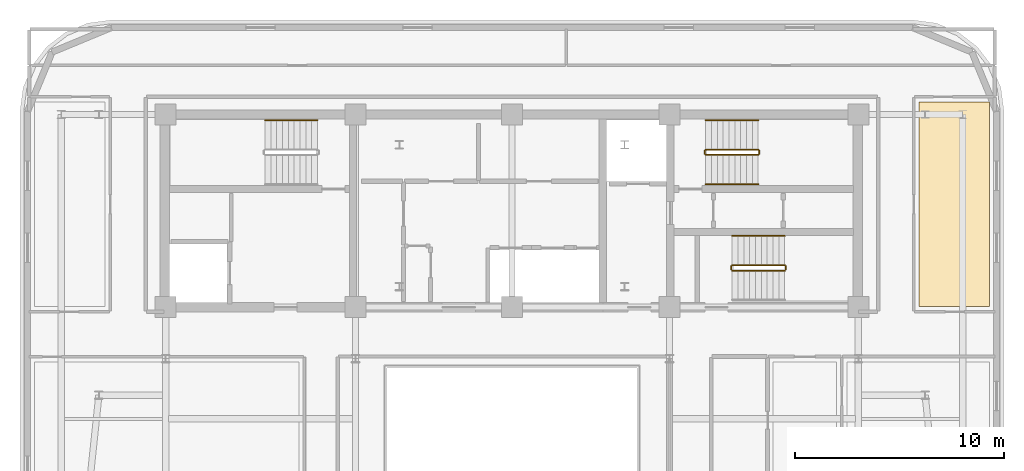
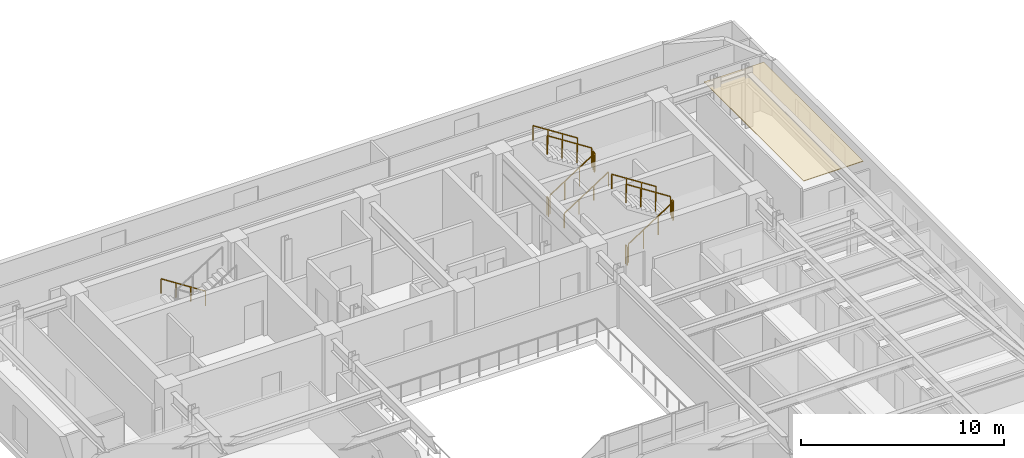
# One storey, part 13 of 13: 12 railings, 1 covering.
"""IFC4 building model written with IfcOpenShell, lengths in metres."""

import ifcopenshell
import ifcopenshell.guid

model = None  # the IFC model being written
_history = None  # IfcOwnerHistory: only IFC2X3 demands one
_inside = {}  # id of a spatial element -> (the spatial element, [elements in it])
_under = {}  # id of a project, library or spatial element -> (it, [spatial elements below it])
_declared = {}  # id of a project -> (the project, [libraries it declares])
_typed = {}  # id of a type object -> (the type object, [elements of that type])
_made_of = {}  # id of a material, layer set ... -> (it, [elements and type objects made of it])


def new_model(schema):
    """Start an empty IFC model of exactly this schema.

    Asked for "IFC4X3", IfcOpenShell would pick the latest addendum, in which some entities
    have other attributes; the version numbers below select the first issue.
    IFC2X3 requires an IfcOwnerHistory on every rooted entity: one is made here for all.
    """
    global model, _history
    if schema == "IFC4X3":
        model = ifcopenshell.file(schema_version=(4, 3, 0, 0))
    else:
        model = ifcopenshell.file(schema=schema)
    _inside.clear()
    _under.clear()
    _declared.clear()
    _typed.clear()
    _made_of.clear()
    _history = None
    if model.schema == "IFC2X3":
        org = make("IfcOrganization", Name="unknown")
        user = make(
            "IfcPersonAndOrganization",
            ThePerson=make("IfcPerson", FamilyName="unknown"),
            TheOrganization=org,
        )
        app = make(
            "IfcApplication",
            ApplicationDeveloper=org,
            Version="unknown",
            ApplicationFullName="unknown",
            ApplicationIdentifier="unknown",
        )
        _history = make(
            "IfcOwnerHistory",
            OwningUser=user,
            OwningApplication=app,
            ChangeAction="ADDED",
            CreationDate=0,
        )
    return model


def make(cls, **values):
    """One entity of the class cls with the attributes given. An attribute that is None is left unset."""
    return model.create_entity(
        cls, **{name: value for name, value in values.items() if value is not None}
    )


def rooted(cls, **values):
    """An entity with a GlobalId (a new one), such as an element, a storey or a relation."""
    return make(cls, GlobalId=ifcopenshell.guid.new(), OwnerHistory=_history, **values)


def si_unit(unit_type, name, prefix=None):
    """IfcSIUnit, for example si_unit("LENGTHUNIT", "METRE", prefix="MILLI")."""
    return make("IfcSIUnit", UnitType=unit_type, Prefix=prefix, Name=name)


def assignment(units):
    """IfcUnitAssignment: the units of a project."""
    return None if units is None else make("IfcUnitAssignment", Units=units)


def point(xyz):
    """IfcCartesianPoint."""
    return None if xyz is None else make("IfcCartesianPoint", Coordinates=xyz)


def direction(xyz):
    """IfcDirection."""
    return None if xyz is None else make("IfcDirection", DirectionRatios=xyz)


def frame(location, z_axis=None, x_axis=None):
    """IfcAxis2Placement3D, a coordinate frame: its origin and axes. An axis left out is left unset."""
    return make(
        "IfcAxis2Placement3D",
        Location=point(location),
        Axis=direction(z_axis),
        RefDirection=direction(x_axis),
    )


def frame_2d(location, x_axis=None):
    """IfcAxis2Placement2D, a coordinate frame in the plane: its origin and x axis."""
    return make(
        "IfcAxis2Placement2D", Location=point(location), RefDirection=direction(x_axis)
    )


def origin():
    """The frame at (0, 0, 0) with its axes left unset."""
    return frame((0.0, 0.0, 0.0))


def origin_2d():
    """The frame at (0, 0) in the plane with its x axis left unset."""
    return frame_2d((0.0, 0.0))


def place(relative_to, where):
    """IfcLocalPlacement: puts the frame where relative to a parent placement (None: the world)."""
    return make(
        "IfcLocalPlacement", PlacementRelTo=relative_to, RelativePlacement=where
    )


def context(
    kind, dimensions, precision=None, world=None, true_north=None, identifier=None
):
    """IfcGeometricRepresentationContext, for example the 3D "Model" context."""
    return make(
        "IfcGeometricRepresentationContext",
        ContextIdentifier=identifier,
        ContextType=kind,
        CoordinateSpaceDimension=dimensions,
        Precision=precision,
        WorldCoordinateSystem=world,
        TrueNorth=true_north,
    )


def subcontext(parent, identifier, kind, view, scale=None):
    """IfcGeometricRepresentationSubContext, for example "Body" below "Model"."""
    return make(
        "IfcGeometricRepresentationSubContext",
        ContextIdentifier=identifier,
        ContextType=kind,
        ParentContext=parent,
        TargetScale=scale,
        TargetView=view,
    )


def project(units=None, contexts=None):
    """IfcProject with its units and contexts."""
    return rooted(
        "IfcProject",
        Name="project",
        RepresentationContexts=contexts,
        UnitsInContext=assignment(units),
    )


def spatial(cls, under=None, at=None, **own):
    """A site, building, storey or space (cls), placed at a placement, below another one or the project."""
    s = rooted(cls, ObjectPlacement=at, **own)
    if under is not None:
        _under.setdefault(under.id(), (under, []))[1].append(s)
    return s


def polyline(points):
    """IfcPolyline through the points."""
    return make("IfcPolyline", Points=[point(p) for p in points])


def profile(cls, at=None, kind="AREA", **sizes):
    """A parametric profile (cls). Its sizes go by their IFC names, for example OverallWidth=200.0."""
    return make(cls, ProfileType=kind, Position=at, **sizes)


def rectangle(**sizes):
    """IfcRectangleProfileDef."""
    return profile("IfcRectangleProfileDef", **sizes)


def outline(outer, holes=None, kind="AREA"):
    """IfcArbitraryClosedProfileDef: a profile drawn as a closed curve; with holes, ...WithVoids."""
    if holes is None:
        return make("IfcArbitraryClosedProfileDef", ProfileType=kind, OuterCurve=outer)
    return make(
        "IfcArbitraryProfileDefWithVoids",
        ProfileType=kind,
        OuterCurve=outer,
        InnerCurves=holes,
    )


def extrude(swept, where, along, depth):
    """IfcExtrudedAreaSolid: the profile swept, set in the frame where, extruded along a direction by depth."""
    return make(
        "IfcExtrudedAreaSolid",
        SweptArea=swept,
        Position=where,
        ExtrudedDirection=direction(along),
        Depth=depth,
    )


def shape(context_of_items, identifier, shape_type, items):
    """IfcShapeRepresentation: the items that make up one representation, for example the "Body"."""
    return make(
        "IfcShapeRepresentation",
        ContextOfItems=context_of_items,
        RepresentationIdentifier=identifier,
        RepresentationType=shape_type,
        Items=items,
    )


def material(Name=None, Category=None):
    """IfcMaterial."""
    return make("IfcMaterial", Name=Name, Category=Category)


def layer(
    of_material, thickness, ventilated=None, Name=None, Category=None, Priority=None
):
    """IfcMaterialLayer: one layer of a wall or slab, of a material (None: an air gap)."""
    return make(
        "IfcMaterialLayer",
        Material=of_material,
        LayerThickness=thickness,
        IsVentilated=ventilated,
        Name=Name,
        Category=Category,
        Priority=Priority,
    )


def layer_set(layers, Name=None):
    """IfcMaterialLayerSet."""
    return make("IfcMaterialLayerSet", MaterialLayers=layers, LayerSetName=Name)


def made_of(thing, what):
    """Note that an element or type object is made of a material, layer set ...; save() writes the relation."""
    if what is not None:
        _made_of.setdefault(what.id(), (what, []))[1].append(thing)
    return thing


def type_object(cls, material=None, **own):
    """A type object (cls), such as IfcWallType, which elements share."""
    return made_of(rooted(cls, **own), material)


def element(
    cls,
    number,
    at=None,
    inside=None,
    cuts=None,
    type_object=None,
    material=None,
    context=None,
    identifier="Body",
    shape_type=None,
    held_by="IfcProductDefinitionShape",
    body=None,
    shapes=None,
    **own,
):
    """One element of the class cls, such as IfcWall. Its Tag is "e" and its number.

    at: its placement. inside: the storey or other place that contains it. cuts: it is an
    opening in that element (IfcRelVoidsElement). A single representation is given by context,
    identifier, shape_type and body (its items); several are given by shapes. held_by: the class
    of the entity that holds the representations. save() writes the other relations.
    """
    e = rooted(cls, Tag="e%d" % number, ObjectPlacement=at, **own)
    if body is not None:
        shapes = [shape(context, identifier, shape_type, body)]
    if shapes is not None:
        e.Representation = make(held_by, Representations=shapes)
    if inside is not None:
        _inside.setdefault(inside.id(), (inside, []))[1].append(e)
    if cuts is not None:
        rooted(
            "IfcRelVoidsElement", RelatingBuildingElement=cuts, RelatedOpeningElement=e
        )
    if type_object is not None:
        _typed.setdefault(type_object.id(), (type_object, []))[1].append(e)
    return made_of(e, material)


def aggregate(whole, parts):
    """IfcRelAggregates: a whole, such as a stair, and the parts it consists of."""
    return rooted("IfcRelAggregates", RelatingObject=whole, RelatedObjects=parts)


def save(model, path):
    """Write the relations noted so far, then the file.

    IfcRelAggregates (storeys below a building ...), IfcRelContainedInSpatialStructure (elements
    in a storey), IfcRelDefinesByType, IfcRelAssociatesMaterial and IfcRelDeclares: one each for
    every whole, place, type object, material and project.
    """
    for whole, parts in _under.values():
        aggregate(whole, parts)
    for where, things in _inside.values():
        rooted(
            "IfcRelContainedInSpatialStructure",
            RelatedElements=things,
            RelatingStructure=where,
        )
    for kind, things in _typed.values():
        rooted("IfcRelDefinesByType", RelatedObjects=things, RelatingType=kind)
    for what, things in _made_of.values():
        rooted("IfcRelAssociatesMaterial", RelatedObjects=things, RelatingMaterial=what)
    for by, libraries in _declared.values():
        rooted("IfcRelDeclares", RelatingContext=by, RelatedDefinitions=libraries)
    model.write(path)


model = new_model("IFC4")

# Units and contexts
model_context = context("Model", 3, precision=1e-05, world=origin(), true_north=direction((0.0, 1.0)))
body_context = subcontext(model_context, "Body", "Model", "MODEL_VIEW")
ifc_project = project(units=[si_unit("LENGTHUNIT", "METRE"), si_unit("AREAUNIT", "SQUARE_METRE"), si_unit("VOLUMEUNIT", "CUBIC_METRE"), si_unit("PLANEANGLEUNIT", "RADIAN"), si_unit("MASSUNIT", "GRAM", prefix="KILO")], contexts=[model_context])

# Site, building, storey
site_placement = place(None, origin())
site = spatial("IfcSite", under=ifc_project, at=site_placement, CompositionType="ELEMENT")
building_placement = place(site_placement, origin())
building = spatial("IfcBuilding", under=site, at=building_placement, Name="Zarnavel Station Tower", CompositionType="ELEMENT")
storey_placement = place(building_placement, frame((0.0, 0.0, 240.0)))
storey = spatial("IfcBuildingStorey", under=building, at=storey_placement, Name="L65", CompositionType="ELEMENT", Elevation=240.0)

# Covering
ifc_material_1 = material(Name="Perforated Gypsum and Mineral-Wool Acoustic Ceiling", Category="concrete")
ifc_layer = layer(ifc_material_1, 0.0400390625)
ifc_layer_set = layer_set([ifc_layer], Name="COV_CEIL_ACOUSTIC")
covering_type = type_object("IfcCoveringType", Name="COV_CEIL_ACOUSTIC", PredefinedType="CEILING", material=ifc_layer_set)
covering_placement = place(storey_placement, frame((0.0, 0.0, 2.9599609375)))
element("IfcCovering", 1, at=covering_placement, inside=storey, type_object=covering_type, Name="L65 FNE Acoustic Ceiling", PredefinedType="CEILING", context=body_context, shape_type="SweptSolid", body=[
    extrude(outline(polyline([(48.300048828125, 27.85009765625), (51.68994140625, 27.85009765625), (51.68994140625, 37.64990234375), (48.300048828125, 37.64990234375), (48.300048828125, 27.85009765625)])), origin(), (0.0, 0.0, 1.0), 0.0400390625),
])

# Railings
ifc_material_2 = material(Name="Painted Steel S355J2 Balustrade", Category="steel")
railing_type_1 = type_object("IfcRailingType", Name="GR_INT_1150", PredefinedType="GUARDRAIL", material=ifc_material_2)
railing_1_placement = place(storey_placement, frame((38.080078125, 35.110107421875, 0.179931640625)))
element("IfcRailing", 2, at=railing_1_placement, inside=storey, type_object=railing_type_1, Name="L65 ST2 stair guard 1", PredefinedType="GUARDRAIL", context=body_context, shape_type="SweptSolid", body=[
    extrude(rectangle(XDim=0.048095703125, YDim=0.048095703125, at=origin_2d()), frame((0.001708984375, 0.0, 1.126953125), z_axis=(0.841162588446, 0.0, 0.540782303519), x_axis=(0.0, 1.0, 0.0)), (0.0, 0.0, 1.0), 2.991943359375),
    extrude(rectangle(XDim=0.0419921875, YDim=0.0419921875, at=origin_2d()), origin(), (0.0, 0.0, 1.0), 1.101806640625),
    extrude(rectangle(XDim=0.0419921875, YDim=0.0419921875, at=origin_2d()), frame((0.840087890625, 0.0, 0.5400390625)), (0.0, 0.0, 1.0), 1.101806640625),
    extrude(rectangle(XDim=0.0419921875, YDim=0.0419921875, at=origin_2d()), frame((1.679931640625, 0.0, 1.080078125)), (0.0, 0.0, 1.0), 1.101806640625),
    extrude(rectangle(XDim=0.0419921875, YDim=0.0419921875, at=origin_2d()), frame((2.52001953125, 0.0, 1.6201171875)), (0.0, 0.0, 1.0), 1.101806640625),
])
railing_2_placement = place(storey_placement, frame((40.64990234375, 35.159912109375, 1.800048828125)))
element("IfcRailing", 3, at=railing_2_placement, inside=storey, type_object=railing_type_1, Name="L65 ST2 stair guard 2", PredefinedType="GUARDRAIL", context=body_context, shape_type="SweptSolid", body=[
    extrude(rectangle(XDim=0.048095703125, YDim=0.048095703125, at=origin_2d()), frame((0.0, 0.001953125, 1.1259765625), z_axis=(0.0, 1.0, 0.0), x_axis=(-1.0, 0.0, 0.0)), (0.0, 0.0, 1.0), 0.15625),
    extrude(rectangle(XDim=0.0419921875, YDim=0.0419921875, at=origin_2d()), origin(), (0.0, 0.0, 1.0), 1.101806640625),
    extrude(rectangle(XDim=0.0419921875, YDim=0.0419921875, at=origin_2d()), frame((0.0, 0.16015625, 0.0)), (0.0, 0.0, 1.0), 1.101806640625),
])
railing_3_placement = place(storey_placement, frame((40.60009765625, 35.3701171875, 1.97998046875)))
element("IfcRailing", 4, at=railing_3_placement, inside=storey, type_object=railing_type_1, Name="L65 ST2 stair guard 3", PredefinedType="GUARDRAIL", context=body_context, shape_type="SweptSolid", body=[
    extrude(rectangle(XDim=0.048095703125, YDim=0.048095703125, at=origin_2d()), frame((-0.001708984375, 0.0, 1.126953125), z_axis=(-0.841162588446, 0.0, 0.540782303519), x_axis=(0.0, -1.0, 0.0)), (0.0, 0.0, 1.0), 2.991943359375),
    extrude(rectangle(XDim=0.0419921875, YDim=0.0419921875, at=origin_2d()), origin(), (0.0, 0.0, 1.0), 1.101806640625),
    extrude(rectangle(XDim=0.0419921875, YDim=0.0419921875, at=origin_2d()), frame((-0.840087890625, 0.0, 0.5400390625)), (0.0, 0.0, 1.0), 1.101806640625),
    extrude(rectangle(XDim=0.0419921875, YDim=0.0419921875, at=origin_2d()), frame((-1.679931640625, 0.0, 1.080078125)), (0.0, 0.0, 1.0), 1.101806640625),
    extrude(rectangle(XDim=0.0419921875, YDim=0.0419921875, at=origin_2d()), frame((-2.52001953125, 0.0, 1.6201171875)), (0.0, 0.0, 1.0), 1.101806640625),
])
railing_4_placement = place(storey_placement, frame((38.030029296875, 35.159912109375, 0.0)))
element("IfcRailing", 5, at=railing_4_placement, inside=storey, type_object=railing_type_1, Name="L65 ST2 stair guard 4", PredefinedType="GUARDRAIL", context=body_context, shape_type="SweptSolid", body=[
    extrude(rectangle(XDim=0.048095703125, YDim=0.048095703125, at=origin_2d()), frame((0.0, 0.001953125, 1.1259765625), z_axis=(0.0, 1.0, 0.0), x_axis=(-1.0, 0.0, 0.0)), (0.0, 0.0, 1.0), 0.15625),
    extrude(rectangle(XDim=0.0419921875, YDim=0.0419921875, at=origin_2d()), origin(), (0.0, 0.0, 1.0), 1.101806640625),
    extrude(rectangle(XDim=0.0419921875, YDim=0.0419921875, at=origin_2d()), frame((0.0, 0.16015625, 0.0)), (0.0, 0.0, 1.0), 1.101806640625),
])
railing_5_placement = place(storey_placement, frame((39.35009765625, 29.570068359375, 0.179931640625)))
element("IfcRailing", 6, at=railing_5_placement, inside=storey, type_object=railing_type_1, Name="L65 ST3 stair guard 1", PredefinedType="GUARDRAIL", context=body_context, shape_type="SweptSolid", body=[
    extrude(rectangle(XDim=0.048095703125, YDim=0.048095703125, at=origin_2d()), frame((0.001708984375, 0.0, 1.126953125), z_axis=(0.841162588446, 0.0, 0.540782303519), x_axis=(0.0, 1.0, 0.0)), (0.0, 0.0, 1.0), 2.991943359375),
    extrude(rectangle(XDim=0.0419921875, YDim=0.0419921875, at=origin_2d()), origin(), (0.0, 0.0, 1.0), 1.101806640625),
    extrude(rectangle(XDim=0.0419921875, YDim=0.0419921875, at=origin_2d()), frame((0.840087890625, 0.0, 0.5400390625)), (0.0, 0.0, 1.0), 1.101806640625),
    extrude(rectangle(XDim=0.0419921875, YDim=0.0419921875, at=origin_2d()), frame((1.679931640625, 0.0, 1.080078125)), (0.0, 0.0, 1.0), 1.101806640625),
    extrude(rectangle(XDim=0.0419921875, YDim=0.0419921875, at=origin_2d()), frame((2.52001953125, 0.0, 1.6201171875)), (0.0, 0.0, 1.0), 1.101806640625),
])
railing_6_placement = place(storey_placement, frame((41.919921875, 29.6201171875, 1.800048828125)))
element("IfcRailing", 7, at=railing_6_placement, inside=storey, type_object=railing_type_1, Name="L65 ST3 stair guard 2", PredefinedType="GUARDRAIL", context=body_context, shape_type="SweptSolid", body=[
    extrude(rectangle(XDim=0.048095703125, YDim=0.048095703125, at=origin_2d()), frame((0.0, 0.001953125, 1.1259765625), z_axis=(0.0, 1.0, 0.0), x_axis=(-1.0, 0.0, 0.0)), (0.0, 0.0, 1.0), 0.156005859375),
    extrude(rectangle(XDim=0.0419921875, YDim=0.0419921875, at=origin_2d()), origin(), (0.0, 0.0, 1.0), 1.101806640625),
    extrude(rectangle(XDim=0.0419921875, YDim=0.0419921875, at=origin_2d()), frame((0.0, 0.159912109375, 0.0)), (0.0, 0.0, 1.0), 1.101806640625),
])
railing_7_placement = place(storey_placement, frame((41.8701171875, 29.830078125, 1.97998046875)))
element("IfcRailing", 8, at=railing_7_placement, inside=storey, type_object=railing_type_1, Name="L65 ST3 stair guard 3", PredefinedType="GUARDRAIL", context=body_context, shape_type="SweptSolid", body=[
    extrude(rectangle(XDim=0.048095703125, YDim=0.048095703125, at=origin_2d()), frame((-0.001708984375, 0.0, 1.126953125), z_axis=(-0.841162588446, 0.0, 0.540782303519), x_axis=(0.0, -1.0, 0.0)), (0.0, 0.0, 1.0), 2.991943359375),
    extrude(rectangle(XDim=0.0419921875, YDim=0.0419921875, at=origin_2d()), origin(), (0.0, 0.0, 1.0), 1.101806640625),
    extrude(rectangle(XDim=0.0419921875, YDim=0.0419921875, at=origin_2d()), frame((-0.840087890625, 0.0, 0.5400390625)), (0.0, 0.0, 1.0), 1.101806640625),
    extrude(rectangle(XDim=0.0419921875, YDim=0.0419921875, at=origin_2d()), frame((-1.679931640625, 0.0, 1.080078125)), (0.0, 0.0, 1.0), 1.101806640625),
    extrude(rectangle(XDim=0.0419921875, YDim=0.0419921875, at=origin_2d()), frame((-2.52001953125, 0.0, 1.6201171875)), (0.0, 0.0, 1.0), 1.101806640625),
])
railing_8_placement = place(storey_placement, frame((39.300048828125, 29.6201171875, 0.0)))
element("IfcRailing", 9, at=railing_8_placement, inside=storey, type_object=railing_type_1, Name="L65 ST3 stair guard 4", PredefinedType="GUARDRAIL", context=body_context, shape_type="SweptSolid", body=[
    extrude(rectangle(XDim=0.048095703125, YDim=0.048095703125, at=origin_2d()), frame((0.0, 0.001953125, 1.1259765625), z_axis=(0.0, 1.0, 0.0), x_axis=(-1.0, 0.0, 0.0)), (0.0, 0.0, 1.0), 0.156005859375),
    extrude(rectangle(XDim=0.0419921875, YDim=0.0419921875, at=origin_2d()), origin(), (0.0, 0.0, 1.0), 1.101806640625),
    extrude(rectangle(XDim=0.0419921875, YDim=0.0419921875, at=origin_2d()), frame((0.0, 0.159912109375, 0.0)), (0.0, 0.0, 1.0), 1.101806640625),
])
ifc_material_3 = material(Name="Brushed Stainless Steel S355J2 Handrail", Category="steel")
railing_type_2 = type_object("IfcRailingType", Name="HR_STAIR_900", PredefinedType="HANDRAIL", material=ifc_material_3)
railing_9_placement = place(storey_placement, frame((19.47998046875, 36.77001953125, 0.179931640625)))
element("IfcRailing", 10, at=railing_9_placement, inside=storey, type_object=railing_type_2, Name="L65 ST1 stair handrail 1", PredefinedType="HANDRAIL", context=body_context, shape_type="SweptSolid", body=[
    extrude(rectangle(XDim=0.048095703125, YDim=0.048095703125, at=origin_2d()), frame((-0.001708984375, 0.0, 0.876953125), z_axis=(-0.841162588446, 0.0, 0.540782303519), x_axis=(0.0, -1.0, 0.0)), (0.0, 0.0, 1.0), 2.991943359375),
    extrude(rectangle(XDim=0.0419921875, YDim=0.0419921875, at=origin_2d()), origin(), (0.0, 0.0, 1.0), 0.851806640625),
    extrude(rectangle(XDim=0.0419921875, YDim=0.0419921875, at=origin_2d()), frame((-0.840087890625, 0.0, 0.5400390625)), (0.0, 0.0, 1.0), 0.851806640625),
    extrude(rectangle(XDim=0.0419921875, YDim=0.0419921875, at=origin_2d()), frame((-1.679931640625, 0.0, 1.080078125)), (0.0, 0.0, 1.0), 0.851806640625),
    extrude(rectangle(XDim=0.0419921875, YDim=0.0419921875, at=origin_2d()), frame((-2.52001953125, 0.0, 1.6201171875)), (0.0, 0.0, 1.0), 0.851806640625),
])
railing_10_placement = place(storey_placement, frame((38.080078125, 33.7099609375, 0.179931640625)))
element("IfcRailing", 11, at=railing_10_placement, inside=storey, type_object=railing_type_2, Name="L65 ST2 stair handrail 1", PredefinedType="HANDRAIL", context=body_context, shape_type="SweptSolid", body=[
    extrude(rectangle(XDim=0.048095703125, YDim=0.048095703125, at=origin_2d()), frame((0.001708984375, 0.0, 0.876953125), z_axis=(0.841162588446, 0.0, 0.540782303519), x_axis=(0.0, 1.0, 0.0)), (0.0, 0.0, 1.0), 2.991943359375),
    extrude(rectangle(XDim=0.0419921875, YDim=0.0419921875, at=origin_2d()), origin(), (0.0, 0.0, 1.0), 0.851806640625),
    extrude(rectangle(XDim=0.0419921875, YDim=0.0419921875, at=origin_2d()), frame((0.840087890625, 0.0, 0.5400390625)), (0.0, 0.0, 1.0), 0.851806640625),
    extrude(rectangle(XDim=0.0419921875, YDim=0.0419921875, at=origin_2d()), frame((1.679931640625, 0.0, 1.080078125)), (0.0, 0.0, 1.0), 0.851806640625),
    extrude(rectangle(XDim=0.0419921875, YDim=0.0419921875, at=origin_2d()), frame((2.52001953125, 0.0, 1.6201171875)), (0.0, 0.0, 1.0), 0.851806640625),
])
for number, where, name in (
    (12, (40.60009765625, 36.77001953125, 1.97998046875), "L65 ST2 stair handrail 2"),
    (13, (41.8701171875, 31.22998046875, 1.97998046875), "L65 ST3 stair handrail 2"),
):
    element("IfcRailing", number, at=place(storey_placement, frame(where)), inside=storey, type_object=railing_type_2, Name=name, PredefinedType="HANDRAIL", context=body_context, shape_type="SweptSolid", body=[
        extrude(rectangle(XDim=0.048095703125, YDim=0.048095703125, at=origin_2d()), frame((-0.001708984375, 0.0, 0.876953125), z_axis=(-0.841162588446, 0.0, 0.540782303519), x_axis=(0.0, -1.0, 0.0)), (0.0, 0.0, 1.0), 2.991943359375),
        extrude(rectangle(XDim=0.0419921875, YDim=0.0419921875, at=origin_2d()), origin(), (0.0, 0.0, 1.0), 0.851806640625),
        extrude(rectangle(XDim=0.0419921875, YDim=0.0419921875, at=origin_2d()), frame((-0.840087890625, 0.0, 0.5400390625)), (0.0, 0.0, 1.0), 0.851806640625),
        extrude(rectangle(XDim=0.0419921875, YDim=0.0419921875, at=origin_2d()), frame((-1.679931640625, 0.0, 1.080078125)), (0.0, 0.0, 1.0), 0.851806640625),
        extrude(rectangle(XDim=0.0419921875, YDim=0.0419921875, at=origin_2d()), frame((-2.52001953125, 0.0, 1.6201171875)), (0.0, 0.0, 1.0), 0.851806640625),
    ])

save(model, "model.ifc")
